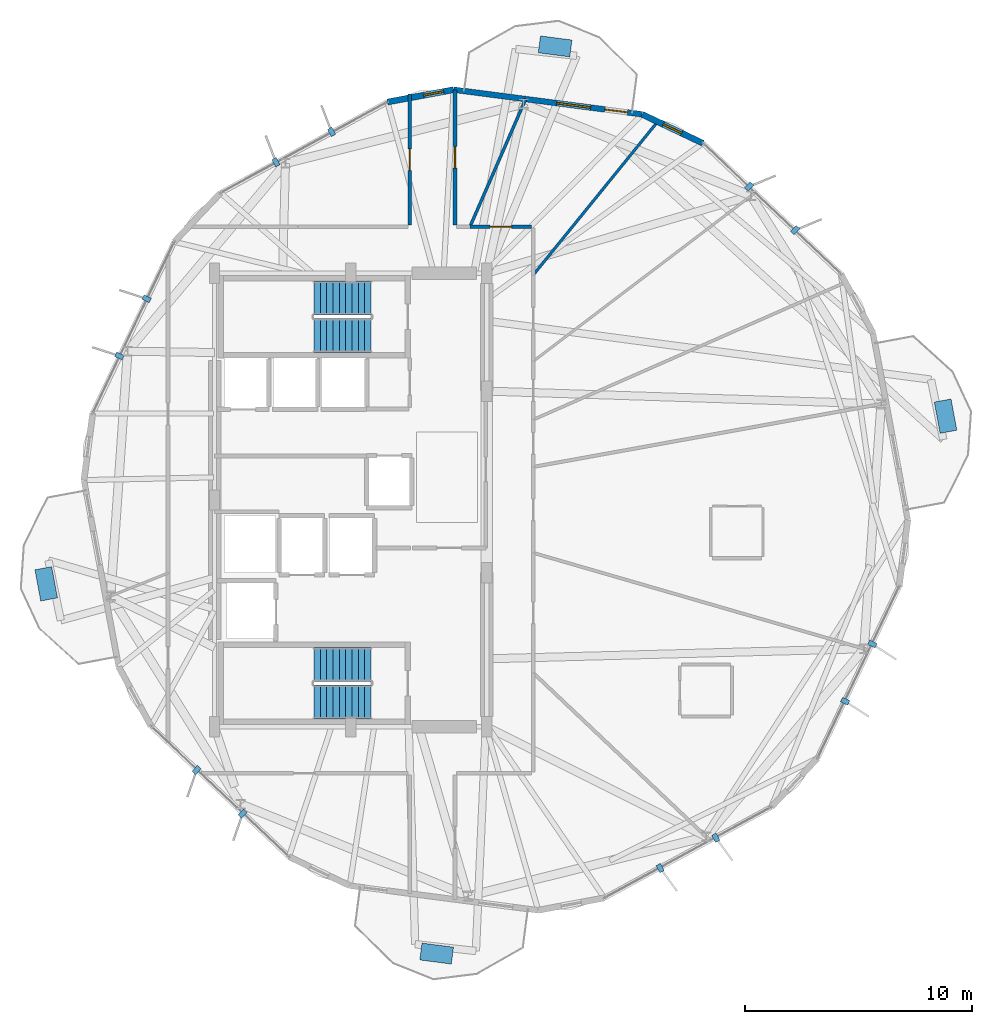
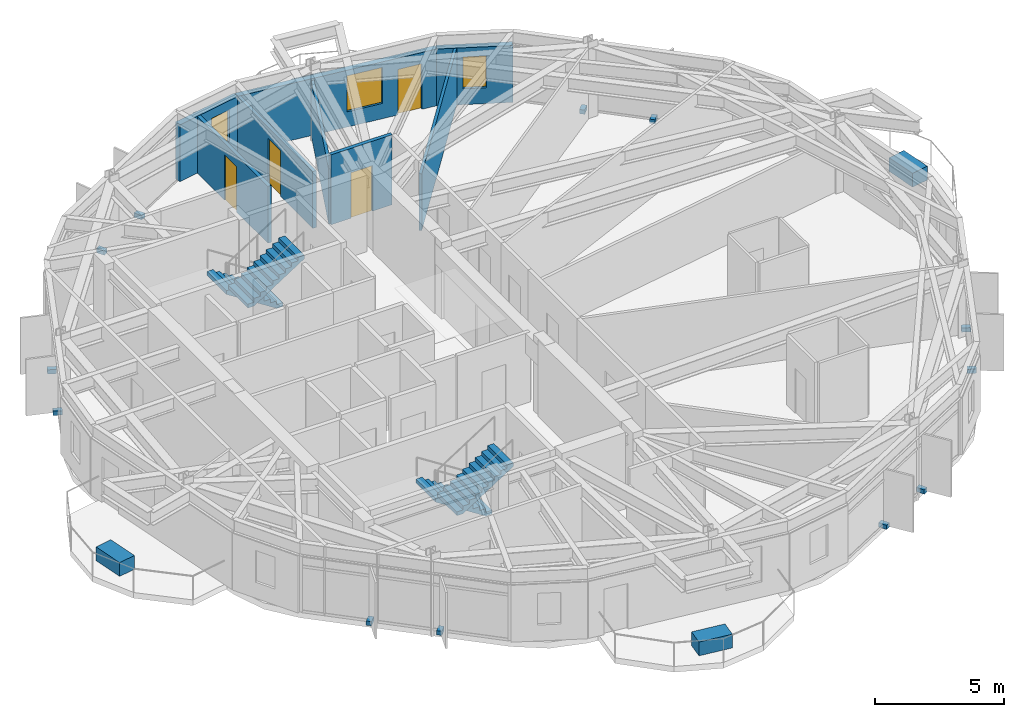
# One storey, part 20 of 23: 16 discrete accessories, 8 walls, 4 doors, 4 stair flights, 3 windows, 7 openings, 2 elements without a shape of their own.
"""IFC4 building model written with IfcOpenShell, lengths in metres."""

from ifc_helpers import new_model, si_unit, direction, frame, frame_2d, origin, origin_2d, place, context, subcontext, project, spatial, polyline, rectangle, outline, extrude, material, layer, layer_set, type_object, element, fill, aggregate, save


model = new_model("IFC4")

# Units and contexts
model_context = context("Model", 3, precision=1e-05, world=origin(), true_north=direction((0.0, 1.0)))
body_context = subcontext(model_context, "Body", "Model", "MODEL_VIEW")
ifc_project = project(units=[si_unit("LENGTHUNIT", "METRE"), si_unit("AREAUNIT", "SQUARE_METRE"), si_unit("VOLUMEUNIT", "CUBIC_METRE"), si_unit("PLANEANGLEUNIT", "RADIAN"), si_unit("MASSUNIT", "GRAM", prefix="KILO")], contexts=[model_context])

# Site, building, storey
site_placement = place(None, origin())
site = spatial("IfcSite", under=ifc_project, at=site_placement, CompositionType="ELEMENT")
building_placement = place(site_placement, origin())
building = spatial("IfcBuilding", under=site, at=building_placement, Name="Soratama Intermodal Tower", CompositionType="ELEMENT")
storey_placement = place(building_placement, frame((0.0, 0.0, 139.0)))
storey = spatial("IfcBuildingStorey", under=building, at=storey_placement, Name="L33", CompositionType="ELEMENT", Elevation=139.0)

# Wall, openings, door, window
ifc_material_1 = material(Name="Concrete f'c 42 MPa", Category="concrete")
ifc_layer_1 = layer(ifc_material_1, 0.25)
ifc_layer_set_1 = layer_set([ifc_layer_1], Name="Concrete f'c 42 MPa")
wall_type_1 = type_object("IfcWallType", Name="EW-BAL-250", PredefinedType="SOLIDWALL", material=ifc_layer_set_1)
wall_1_placement = place(storey_placement, frame((51.443359375, 41.998291015625, 0.0), z_axis=(0.0, 0.0, 1.0), x_axis=(-0.991579431853, 0.129499924037, 0.0)))
wall_1 = element("IfcWall", 1, at=wall_1_placement, inside=storey, type_object=wall_type_1, Name="L33 Terrace Wall F02", PredefinedType="SOLIDWALL", context=body_context, shape_type="SweptSolid", body=[
    extrude(rectangle(XDim=8.376220703125, YDim=0.25, at=frame_2d((4.18798828125, 0.0))), origin(), (0.0, 0.0, 1.0), 2.678955078125),
])
opening_1_placement = place(wall_1_placement, frame((0.64990234375, 0.0, 0.0)))
opening_1 = element("IfcOpeningElement", 2, at=opening_1_placement, cuts=wall_1, Name="Opening ED-2", PredefinedType="OPENING", context=body_context, shape_type="SweptSolid", body=[
    extrude(rectangle(XDim=1.0, YDim=2.14990234375, at=frame_2d((0.5, 1.074951171875))), frame((0.0, 0.135009765625, 0.0), z_axis=(0.0, -1.0, 0.0), x_axis=(1.0, 0.0, 0.0)), (0.0, 0.0, 1.0), 0.27001953125),
])
opening_2_placement = place(wall_1_placement, frame((2.2900390625, 0.0, 0.719970703125)))
opening_2 = element("IfcOpeningElement", 3, at=opening_2_placement, cuts=wall_1, Name="Opening WN-1", PredefinedType="OPENING", context=body_context, shape_type="SweptSolid", body=[
    extrude(rectangle(XDim=1.5, YDim=1.699951171875, at=frame_2d((0.75, 0.85009765625))), frame((0.0, 0.135009765625, 0.0), z_axis=(0.0, -1.0, 0.0), x_axis=(1.0, 0.0, 0.0)), (0.0, 0.0, 1.0), 0.27001953125),
])
ifc_material_2 = material(Name="Double-glazed aluminium door", Category="aluminium")
door_type_1 = type_object("IfcDoorType", Name="DR-BAL-1000", OperationType="NOTDEFINED", PredefinedType="DOOR", material=ifc_material_2)
door_1_placement = place(opening_1_placement, origin())
door_1 = element("IfcDoor", 4, at=door_1_placement, inside=storey, type_object=door_type_1, Name="L33 Balcony Door F02", OperationType="SINGLE_SWING_RIGHT", OverallHeight=2.14990234375, OverallWidth=1.0, PredefinedType="DOOR", context=body_context, shape_type="SweptSolid", body=[
    extrude(rectangle(XDim=1.0, YDim=2.14990234375, at=frame_2d((0.5, 1.074951171875))), frame((0.0, 0.02490234375, 0.0), z_axis=(0.0, -1.0, 0.0), x_axis=(1.0, 0.0, 0.0)), (0.0, 0.0, 1.0), 0.050048828125),
])
fill(opening_1, door_1)
ifc_material_3 = material(Name="Double-glazed aluminium window", Category="aluminium")
window_type_1 = type_object("IfcWindowType", Name="WN-FAC-1500", PartitioningType="SINGLE_PANEL", PredefinedType="WINDOW", material=ifc_material_3)
window_1_placement = place(opening_2_placement, origin())
window_1 = element("IfcWindow", 5, at=window_1_placement, inside=storey, type_object=window_type_1, Name="L33 Window B F02", OverallHeight=1.699951171875, OverallWidth=1.5, PartitioningType="SINGLE_PANEL", PredefinedType="WINDOW", context=body_context, shape_type="SweptSolid", body=[
    extrude(rectangle(XDim=1.5, YDim=1.699951171875, at=frame_2d((0.75, 0.85009765625))), frame((0.0, 0.030029296875, 0.0), z_axis=(0.0, -1.0, 0.0), x_axis=(1.0, 0.0, 0.0)), (0.0, 0.0, 1.0), 0.06005859375),
])
fill(opening_2, window_1)

# Wall, opening, window
ifc_material_4 = material(Name="Concrete f'c 42 MPa", Category="concrete")
ifc_layer_2 = layer(ifc_material_4, 0.27001953125)
ifc_layer_set_2 = layer_set([ifc_layer_2], Name="Concrete f'c 42 MPa")
wall_type_2 = type_object("IfcWallType", Name="EW-CRN-270", PredefinedType="SOLIDWALL", material=ifc_layer_set_2)
wall_2_placement = place(storey_placement, frame((54.122314453125, 40.72412109375, 0.0), z_axis=(0.0, 0.0, 1.0), x_axis=(-0.903059702478, 0.429515044859, 0.0)))
wall_2 = element("IfcWall", 6, at=wall_2_placement, inside=storey, type_object=wall_type_2, Name="L33 Corner Closure Wall 01", PredefinedType="SOLIDWALL", context=body_context, shape_type="SweptSolid", body=[
    extrude(rectangle(XDim=2.966552734375, YDim=0.27001953125, at=frame_2d((1.4833984375, 0.0))), origin(), (0.0, 0.0, 1.0), 2.678955078125),
])
opening_3_placement = place(wall_2_placement, frame((1.033203125, 0.0, 0.75)))
opening_3 = element("IfcOpeningElement", 7, at=opening_3_placement, cuts=wall_2, Name="Opening WN-6", PredefinedType="OPENING", context=body_context, shape_type="SweptSolid", body=[
    extrude(rectangle(XDim=0.89990234375, YDim=1.5, at=frame_2d((0.449951171875, 0.75))), frame((0.0, 0.14501953125, 0.0), z_axis=(0.0, -1.0, 0.0), x_axis=(1.0, 0.0, 0.0)), (0.0, 0.0, 1.0), 0.2900390625),
])
ifc_material_5 = material(Name="Double-glazed aluminium window", Category="aluminium")
window_type_2 = type_object("IfcWindowType", Name="WN-FAC-900", PartitioningType="SINGLE_PANEL", PredefinedType="WINDOW", material=ifc_material_5)
window_2_placement = place(opening_3_placement, origin())
window_2 = element("IfcWindow", 8, at=window_2_placement, inside=storey, type_object=window_type_2, Name="L33 Corner Window 01", OverallHeight=1.5, OverallWidth=0.89990234375, PartitioningType="SINGLE_PANEL", PredefinedType="WINDOW", context=body_context, shape_type="SweptSolid", body=[
    extrude(rectangle(XDim=0.89990234375, YDim=1.5, at=frame_2d((0.449951171875, 0.75))), frame((0.0, 0.030029296875, 0.0), z_axis=(0.0, -1.0, 0.0), x_axis=(1.0, 0.0, 0.0)), (0.0, 0.0, 1.0), 0.06005859375),
])
fill(opening_3, window_2)

wall_3_placement = place(storey_placement, frame((43.1376953125, 43.0830078125, 0.0), z_axis=(0.0, 0.0, 1.0), x_axis=(-0.983060801599, -0.183279732538, 0.0)))
wall_3 = element("IfcWall", 9, at=wall_3_placement, inside=storey, type_object=wall_type_2, Name="L33 Corner Closure Wall 02", PredefinedType="SOLIDWALL", context=body_context, shape_type="SweptSolid", body=[
    extrude(rectangle(XDim=2.966552734375, YDim=0.27001953125, at=frame_2d((1.4833984375, 0.0))), origin(), (0.0, 0.0, 1.0), 2.678955078125),
])
opening_4_placement = place(wall_3_placement, frame((0.449951171875, 0.0, 0.75)))
opening_4 = element("IfcOpeningElement", 10, at=opening_4_placement, cuts=wall_3, Name="Opening WN-6", PredefinedType="OPENING", context=body_context, shape_type="SweptSolid", body=[
    extrude(rectangle(XDim=0.89990234375, YDim=1.5, at=frame_2d((0.449951171875, 0.75))), frame((0.0, 0.14501953125, 0.0), z_axis=(0.0, -1.0, 0.0), x_axis=(1.0, 0.0, 0.0)), (0.0, 0.0, 1.0), 0.2900390625),
])
window_3_placement = place(opening_4_placement, origin())
window_3 = element("IfcWindow", 11, at=window_3_placement, inside=storey, type_object=window_type_2, Name="L33 Corner Window 02", OverallHeight=1.5, OverallWidth=0.89990234375, PartitioningType="SINGLE_PANEL", PredefinedType="WINDOW", context=body_context, shape_type="SweptSolid", body=[
    extrude(rectangle(XDim=0.89990234375, YDim=1.5, at=frame_2d((0.449951171875, 0.75))), frame((0.0, 0.030029296875, 0.0), z_axis=(0.0, -1.0, 0.0), x_axis=(1.0, 0.0, 0.0)), (0.0, 0.0, 1.0), 0.06005859375),
])
fill(opening_4, window_3)

# Wall, opening, door
ifc_material_6 = material(Name="Fire-rated gypsum stud partition", Category="concrete")
ifc_layer_3 = layer(ifc_material_6, 0.159912109375)
ifc_layer_set_3 = layer_set([ifc_layer_3], Name="Fire-rated gypsum stud partition")
wall_type_3 = type_object("IfcWallType", Name="IW-PART-R160", PredefinedType="PARTITIONING", material=ifc_layer_set_3)
wall_4_placement = place(storey_placement, frame((43.199951171875, 43.074951171875, 0.0), z_axis=(0.0, 0.0, 1.0), x_axis=(0.0, -1.0, 0.0)))
wall_4 = element("IfcWall", 12, at=wall_4_placement, inside=storey, type_object=wall_type_3, Name="L33 Partition W-L33-TP013", PredefinedType="PARTITIONING", context=body_context, shape_type="SweptSolid", body=[
    extrude(rectangle(XDim=5.954833984375, YDim=0.159912109375, at=frame_2d((2.9775390625, 0.0))), origin(), (0.0, 0.0, 1.0), 2.677978515625),
])
opening_5_placement = place(wall_4_placement, frame((2.5029296875, 0.0, 0.0)))
opening_5 = element("IfcOpeningElement", 13, at=opening_5_placement, cuts=wall_4, Name="Opening ID-3", PredefinedType="OPENING", context=body_context, shape_type="SweptSolid", body=[
    extrude(rectangle(XDim=0.949951171875, YDim=2.14990234375, at=frame_2d((0.47509765625, 1.074951171875))), frame((0.0, 0.08984375, 0.0), z_axis=(0.0, -1.0, 0.0), x_axis=(1.0, 0.0, 0.0)), (0.0, 0.0, 1.0), 0.179931640625),
])
ifc_material_7 = material(Name="Solid hardwood acoustic door", Category="wood")
door_type_2 = type_object("IfcDoorType", Name="DR-ROOM-950", OperationType="NOTDEFINED", PredefinedType="DOOR", material=ifc_material_7)
door_2_placement = place(opening_5_placement, origin())
door_2 = element("IfcDoor", 14, at=door_2_placement, inside=storey, type_object=door_type_2, Name="L33 Door D-L33-TP005", OperationType="SINGLE_SWING_RIGHT", OverallHeight=2.14990234375, OverallWidth=0.949951171875, PredefinedType="DOOR", context=body_context, shape_type="SweptSolid", body=[
    extrude(rectangle(XDim=0.949951171875, YDim=2.14990234375, at=frame_2d((0.47509765625, 1.074951171875))), frame((0.0, 0.02490234375, 0.0), z_axis=(0.0, -1.0, 0.0), x_axis=(1.0, 0.0, 0.0)), (0.0, 0.0, 1.0), 0.050048828125),
])
fill(opening_5, door_2)

wall_5_placement = place(storey_placement, frame((41.199951171875, 37.1201171875, 0.0), z_axis=(0.0, 0.0, 1.0), x_axis=(0.0, 1.0, 0.0)))
wall_5 = element("IfcWall", 15, at=wall_5_placement, inside=storey, type_object=wall_type_3, Name="L33 Partition W-L33-TP014", PredefinedType="PARTITIONING", context=body_context, shape_type="SweptSolid", body=[
    extrude(rectangle(XDim=5.766845703125, YDim=0.159912109375, at=frame_2d((2.88330078125, 0.0))), origin(), (0.0, 0.0, 1.0), 2.677978515625),
])
opening_6_placement = place(wall_5_placement, frame((2.408935546875, 0.0, 0.0)))
opening_6 = element("IfcOpeningElement", 16, at=opening_6_placement, cuts=wall_5, Name="Opening ID-3", PredefinedType="OPENING", context=body_context, shape_type="SweptSolid", body=[
    extrude(rectangle(XDim=0.949951171875, YDim=2.14990234375, at=frame_2d((0.47509765625, 1.074951171875))), frame((0.0, 0.08984375, 0.0), z_axis=(0.0, -1.0, 0.0), x_axis=(1.0, 0.0, 0.0)), (0.0, 0.0, 1.0), 0.179931640625),
])
door_3_placement = place(opening_6_placement, origin())
door_3 = element("IfcDoor", 17, at=door_3_placement, inside=storey, type_object=door_type_2, Name="L33 Door D-L33-TP006", OperationType="SINGLE_SWING_LEFT", OverallHeight=2.14990234375, OverallWidth=0.949951171875, PredefinedType="DOOR", context=body_context, shape_type="SweptSolid", body=[
    extrude(rectangle(XDim=0.949951171875, YDim=2.14990234375, at=frame_2d((0.47509765625, 1.074951171875))), frame((0.0, 0.02490234375, 0.0), z_axis=(0.0, -1.0, 0.0), x_axis=(1.0, 0.0, 0.0)), (0.0, 0.0, 1.0), 0.050048828125),
])
fill(opening_6, door_3)

wall_6_placement = place(storey_placement, frame((43.860107421875, 37.050048828125, 0.0), z_axis=(0.0, 0.0, 1.0), x_axis=(1.0, 0.0, 0.0)))
wall_6 = element("IfcWall", 18, at=wall_6_placement, inside=storey, type_object=wall_type_3, Name="L33 Partition W-L33-TP027", PredefinedType="PARTITIONING", context=body_context, shape_type="SweptSolid", body=[
    extrude(rectangle(XDim=2.719970703125, YDim=0.159912109375, at=frame_2d((1.35986328125, 0.0))), origin(), (0.0, 0.0, 1.0), 3.300048828125),
])
opening_7_placement = place(wall_6_placement, frame((0.885009765625, 0.0, 0.0)))
opening_7 = element("IfcOpeningElement", 19, at=opening_7_placement, cuts=wall_6, Name="Opening ID-3", PredefinedType="OPENING", context=body_context, shape_type="SweptSolid", body=[
    extrude(rectangle(XDim=0.949951171875, YDim=2.14990234375, at=frame_2d((0.47509765625, 1.074951171875))), frame((0.0, 0.08984375, 0.0), z_axis=(0.0, -1.0, 0.0), x_axis=(1.0, 0.0, 0.0)), (0.0, 0.0, 1.0), 0.179931640625),
])
door_4_placement = place(opening_7_placement, origin())
door_4 = element("IfcDoor", 20, at=door_4_placement, inside=storey, type_object=door_type_2, Name="L33 Door D-L33-TP012", OperationType="SINGLE_SWING_LEFT", OverallHeight=2.14990234375, OverallWidth=0.949951171875, PredefinedType="DOOR", context=body_context, shape_type="SweptSolid", body=[
    extrude(rectangle(XDim=0.949951171875, YDim=2.14990234375, at=frame_2d((0.47509765625, 1.074951171875))), frame((0.0, 0.02490234375, 0.0), z_axis=(0.0, -1.0, 0.0), x_axis=(1.0, 0.0, 0.0)), (0.0, 0.0, 1.0), 0.050048828125),
])
fill(opening_7, door_4)

# Walls
ifc_material_8 = material(Name="Fire-rated gypsum stud partition", Category="concrete")
ifc_layer_4 = layer(ifc_material_8, 0.1201171875)
ifc_layer_set_4 = layer_set([ifc_layer_4], Name="Fire-rated gypsum stud partition")
wall_type_4 = type_object("IfcWallType", Name="IW-PART-S120", PredefinedType="PARTITIONING", material=ifc_layer_set_4)
wall_7_placement = place(storey_placement, frame((46.64990234375, 34.9208984375, 0.0), z_axis=(0.0, 0.0, 1.0), x_axis=(0.630086195198, 0.776525200248, 0.0)))
element("IfcWall", 21, at=wall_7_placement, inside=storey, type_object=wall_type_4, Name="L33 Partition W-L33-TP008", PredefinedType="PARTITIONING", context=body_context, shape_type="SweptSolid", body=[
    extrude(rectangle(XDim=8.82275390625, YDim=0.1201171875, at=frame_2d((4.411376953125, 0.0))), origin(), (0.0, 0.0, 1.0), 2.677978515625),
])
ifc_material_9 = material(Name="Fire-rated gypsum stud partition", Category="concrete")
ifc_layer_5 = layer(ifc_material_9, 0.1298828125)
ifc_layer_set_5 = layer_set([ifc_layer_5], Name="Fire-rated gypsum stud partition")
wall_type_5 = type_object("IfcWallType", Name="IW-PART-S130", PredefinedType="PARTITIONING", material=ifc_layer_set_5)
wall_8_placement = place(storey_placement, frame((43.860107421875, 37.050048828125, 0.0), z_axis=(0.0, 0.0, 1.0), x_axis=(0.400139709892, 0.916454151918, 0.0)))
element("IfcWall", 22, at=wall_8_placement, inside=storey, type_object=wall_type_5, Name="L33 Partition W-L33-TP012", PredefinedType="PARTITIONING", context=body_context, shape_type="SweptSolid", body=[
    extrude(rectangle(XDim=6.130126953125, YDim=0.1298828125, at=frame_2d((3.06494140625, 0.0))), origin(), (0.0, 0.0, 1.0), 2.594970703125),
])

# Stair, stair flights
ifc_material_10 = material(Name="Concrete f'c 42 MPa", Category="concrete")
stair_type = type_object("IfcStairType", Name="ST-CORE-DOGLEG", PredefinedType="HALF_TURN_STAIR", material=ifc_material_10)
stair_1_placement = place(storey_placement, origin())
stair_1 = element("IfcStair", 23, at=stair_1_placement, inside=storey, type_object=stair_type, Name="L33 ST-1", PredefinedType="HALF_TURN_STAIR")
ifc_material_11 = material(Name="Precast concrete f'c 40 MPa", Category="concrete")
ifc_layer_6 = layer(ifc_material_11, 0.199951171875)
ifc_layer_set_6 = layer_set([ifc_layer_6], Name="Precast concrete f'c 40 MPa")
stair_flight_type = type_object("IfcStairFlightType", Name="SF-FLIGHT-RC", PredefinedType="STRAIGHT", material=ifc_layer_set_6)
stair_flight_1_placement = place(storey_placement, frame((39.5, 17.75, 0.0), z_axis=(0.0, 0.0, 1.0), x_axis=(-1.0, 0.0, 0.0)))
stair_flight_1 = element("IfcStairFlight", 24, at=stair_flight_1_placement, type_object=stair_flight_type, Name="ST-1 flight 1", NumberOfRisers=10, NumberOfTreads=9, PredefinedType="STRAIGHT", RiserHeight=0.18, TreadLength=0.28, context=body_context, shape_type="SweptSolid", body=[
    extrude(outline(polyline([(0.0, 0.0), (0.0, 0.179931640625), (0.280029296875, 0.179931640625), (0.280029296875, 0.360107421875), (0.56005859375, 0.360107421875), (0.56005859375, 0.5400390625), (0.840087890625, 0.5400390625), (0.840087890625, 0.719970703125), (1.1201171875, 0.719970703125), (1.1201171875, 0.89990234375), (1.39990234375, 0.89990234375), (1.39990234375, 1.080078125), (1.679931640625, 1.080078125), (1.679931640625, 1.260009765625), (1.9599609375, 1.260009765625), (1.9599609375, 1.43994140625), (2.239990234375, 1.43994140625), (2.239990234375, 1.6201171875), (2.52001953125, 1.6201171875), (2.52001953125, 1.800048828125), (2.52001953125, 1.44189453125), (0.277099609375, 0.0), (0.0, 0.0)])), frame((0.0, 0.75, 0.0), z_axis=(0.0, -1.0, 0.0), x_axis=(1.0, 0.0, 0.0)), (0.0, 0.0, 1.0), 1.5),
])
stair_flight_2_placement = place(storey_placement, frame((36.97998046875, 16.10009765625, 1.800048828125), z_axis=(0.0, 0.0, 1.0), x_axis=(1.0, 0.0, 0.0)))
stair_flight_2 = element("IfcStairFlight", 25, at=stair_flight_2_placement, type_object=stair_flight_type, Name="ST-1 flight 2", NumberOfRisers=10, NumberOfTreads=9, PredefinedType="STRAIGHT", RiserHeight=0.18, TreadLength=0.28, context=body_context, shape_type="SweptSolid", body=[
    extrude(outline(polyline([(0.0, 0.0), (0.0, 0.179931640625), (0.280029296875, 0.179931640625), (0.280029296875, 0.360107421875), (0.56005859375, 0.360107421875), (0.56005859375, 0.5400390625), (0.840087890625, 0.5400390625), (0.840087890625, 0.719970703125), (1.1201171875, 0.719970703125), (1.1201171875, 0.89990234375), (1.39990234375, 0.89990234375), (1.39990234375, 1.080078125), (1.679931640625, 1.080078125), (1.679931640625, 1.260009765625), (1.9599609375, 1.260009765625), (1.9599609375, 1.43994140625), (2.239990234375, 1.43994140625), (2.239990234375, 1.6201171875), (2.52001953125, 1.6201171875), (2.52001953125, 1.800048828125), (2.52001953125, 1.44189453125), (0.277099609375, 0.0), (0.0, 0.0)])), frame((0.0, 0.75, 0.0), z_axis=(0.0, -1.0, 0.0), x_axis=(1.0, 0.0, 0.0)), (0.0, 0.0, 1.0), 1.5),
])
aggregate(stair_1, [stair_flight_1, stair_flight_2])

stair_2_placement = place(storey_placement, origin())
stair_2 = element("IfcStair", 26, at=stair_2_placement, inside=storey, type_object=stair_type, Name="L33 ST-2", PredefinedType="HALF_TURN_STAIR")
stair_flight_3_placement = place(storey_placement, frame((39.5, 33.89990234375, 0.0), z_axis=(0.0, 0.0, 1.0), x_axis=(-1.0, 0.0, 0.0)))
stair_flight_3 = element("IfcStairFlight", 27, at=stair_flight_3_placement, type_object=stair_flight_type, Name="ST-2 flight 1", NumberOfRisers=10, NumberOfTreads=9, PredefinedType="STRAIGHT", RiserHeight=0.18, TreadLength=0.28, context=body_context, shape_type="SweptSolid", body=[
    extrude(outline(polyline([(0.0, 0.0), (0.0, 0.179931640625), (0.280029296875, 0.179931640625), (0.280029296875, 0.360107421875), (0.56005859375, 0.360107421875), (0.56005859375, 0.5400390625), (0.840087890625, 0.5400390625), (0.840087890625, 0.719970703125), (1.1201171875, 0.719970703125), (1.1201171875, 0.89990234375), (1.39990234375, 0.89990234375), (1.39990234375, 1.080078125), (1.679931640625, 1.080078125), (1.679931640625, 1.260009765625), (1.9599609375, 1.260009765625), (1.9599609375, 1.43994140625), (2.239990234375, 1.43994140625), (2.239990234375, 1.6201171875), (2.52001953125, 1.6201171875), (2.52001953125, 1.800048828125), (2.52001953125, 1.44189453125), (0.277099609375, 0.0), (0.0, 0.0)])), frame((0.0, 0.75, 0.0), z_axis=(0.0, -1.0, 0.0), x_axis=(1.0, 0.0, 0.0)), (0.0, 0.0, 1.0), 1.5),
])
stair_flight_4_placement = place(storey_placement, frame((36.97998046875, 32.25, 1.800048828125), z_axis=(0.0, 0.0, 1.0), x_axis=(1.0, 0.0, 0.0)))
stair_flight_4 = element("IfcStairFlight", 28, at=stair_flight_4_placement, type_object=stair_flight_type, Name="ST-2 flight 2", NumberOfRisers=10, NumberOfTreads=9, PredefinedType="STRAIGHT", RiserHeight=0.18, TreadLength=0.28, context=body_context, shape_type="SweptSolid", body=[
    extrude(outline(polyline([(0.0, 0.0), (0.0, 0.179931640625), (0.280029296875, 0.179931640625), (0.280029296875, 0.360107421875), (0.56005859375, 0.360107421875), (0.56005859375, 0.5400390625), (0.840087890625, 0.5400390625), (0.840087890625, 0.719970703125), (1.1201171875, 0.719970703125), (1.1201171875, 0.89990234375), (1.39990234375, 0.89990234375), (1.39990234375, 1.080078125), (1.679931640625, 1.080078125), (1.679931640625, 1.260009765625), (1.9599609375, 1.260009765625), (1.9599609375, 1.43994140625), (2.239990234375, 1.43994140625), (2.239990234375, 1.6201171875), (2.52001953125, 1.6201171875), (2.52001953125, 1.800048828125), (2.52001953125, 1.44189453125), (0.277099609375, 0.0), (0.0, 0.0)])), frame((0.0, 0.75, 0.0), z_axis=(0.0, -1.0, 0.0), x_axis=(1.0, 0.0, 0.0)), (0.0, 0.0, 1.0), 1.5),
])
aggregate(stair_2, [stair_flight_3, stair_flight_4])

# Discrete accessories
ifc_material_12 = material(Name="Structural steel ASTM A992 Grade 50", Category="steel")
discrete_accessory_type_1 = type_object("IfcDiscreteAccessoryType", Name="AC-FIN-BRACKET", PredefinedType="BRACKET", material=ifc_material_12)
for number, where, z_axis, x_axis, name in (
    (29, (58.190673828125, 36.89892578125, -0.080078125), (0.0, 0.0, 1.0), (0.687594588135, 0.726094816376, 0.0), "L33 Fin Bracket F01-1"),
    (30, (56.163330078125, 38.81884765625, -0.080078125), (0.0, 0.0, 1.0), (0.687594588135, 0.726094816376, 0.0), "L33 Fin Bracket F01-2"),
    (31, (37.759521484375, 41.22216796875, -0.080078125), (0.0, 0.0, 1.0), (-0.478078793588, 0.878316951403, 0.0), "L33 Fin Bracket F03-1"),
    (32, (35.30712890625, 39.88720703125, -0.080078125), (0.0, 0.0, 1.0), (-0.478078793588, 0.878316951403, 0.0), "L33 Fin Bracket F03-2"),
    (33, (29.607421875, 33.8681640625, -0.080078125), (0.0, 0.0, 1.0), (-0.903035619536, 0.429565675827, 0.0), "L33 Fin Bracket F04-1"),
    (34, (28.407958984375, 31.3466796875, -0.080078125), (0.0, 0.0, 1.0), (-0.903035619536, 0.429565675827, 0.0), "L33 Fin Bracket F04-2"),
    (35, (31.809326171875, 13.10107421875, -0.080078125), (0.0, 0.0, 1.0), (-0.687594588135, -0.726094816376, 0.0), "L33 Fin Bracket F06-1"),
    (36, (33.836669921875, 11.18115234375, -0.080078125), (0.0, 0.0, 1.0), (-0.687594588135, -0.726094816376, 0.0), "L33 Fin Bracket F06-2"),
    (37, (52.240478515625, 8.77783203125, -0.080078125), (0.0, 0.0, 1.0), (0.478078793588, -0.878316951403, 0.0), "L33 Fin Bracket F08-1"),
    (38, (54.69287109375, 10.11279296875, -0.080078125), (0.0, 0.0, 1.0), (0.478078793588, -0.878316951403, 0.0), "L33 Fin Bracket F08-2"),
    (39, (60.392578125, 16.1318359375, -0.080078125), (0.0, 0.0, 1.0), (0.903035619536, -0.429565675827, 0.0), "L33 Fin Bracket F09-1"),
    (40, (61.592041015625, 18.6533203125, -0.080078125), (0.0, 0.0, 1.0), (0.903035619536, -0.429565675827, 0.0), "L33 Fin Bracket F09-2"),
):
    element("IfcDiscreteAccessory", number, at=place(storey_placement, frame(where, z_axis=z_axis, x_axis=x_axis)), inside=storey, type_object=discrete_accessory_type_1, Name=name, PredefinedType="BRACKET", context=body_context, shape_type="SweptSolid", body=[
        extrude(rectangle(XDim=0.360107421875, YDim=0.219970703125, at=origin_2d()), origin(), (0.0, 0.0, 1.0), 0.199951171875),
    ])
ifc_material_13 = material(Name="Precast concrete f'c 40 MPa", Category="concrete")
discrete_accessory_type_2 = type_object("IfcDiscreteAccessoryType", Name="AC-PLANTER-TREE", PredefinedType="USERDEFINED", material=ifc_material_13)
for number, where, z_axis, x_axis, name in (
    (41, (64.818115234375, 28.694580078125, 0.0), (0.0, 0.0, 1.0), (0.983063531873, 0.183265087514, 0.0), "L33 Tree Planter 1"),
    (42, (47.6103515625, 44.989990234375, 0.0), (0.0, 0.0, 1.0), (0.12948788221, 0.991581004437, 0.0), "L33 Tree Planter 2"),
    (43, (25.181884765625, 21.305419921875, 0.0), (0.0, 0.0, 1.0), (-0.983063531873, -0.183265087514, 0.0), "L33 Tree Planter 3"),
    (44, (42.3896484375, 5.010009765625, 0.0), (0.0, 0.0, 1.0), (-0.12948788221, -0.991581004437, 0.0), "L33 Tree Planter 4"),
):
    element("IfcDiscreteAccessory", number, at=place(storey_placement, frame(where, z_axis=z_axis, x_axis=x_axis)), inside=storey, type_object=discrete_accessory_type_2, Name=name, ObjectType="PLANTER", PredefinedType="USERDEFINED", context=body_context, shape_type="SweptSolid", body=[
        extrude(rectangle(XDim=0.75, YDim=1.39990234375, at=origin_2d()), origin(), (0.0, 0.0, 1.0), 0.64990234375),
    ])

save(model, "model.ifc")
